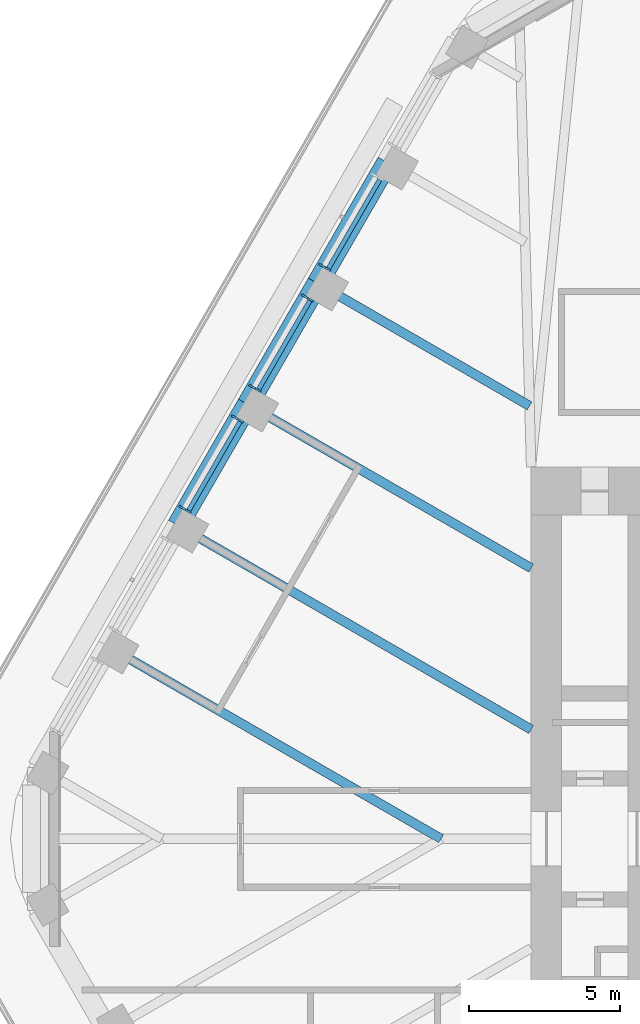
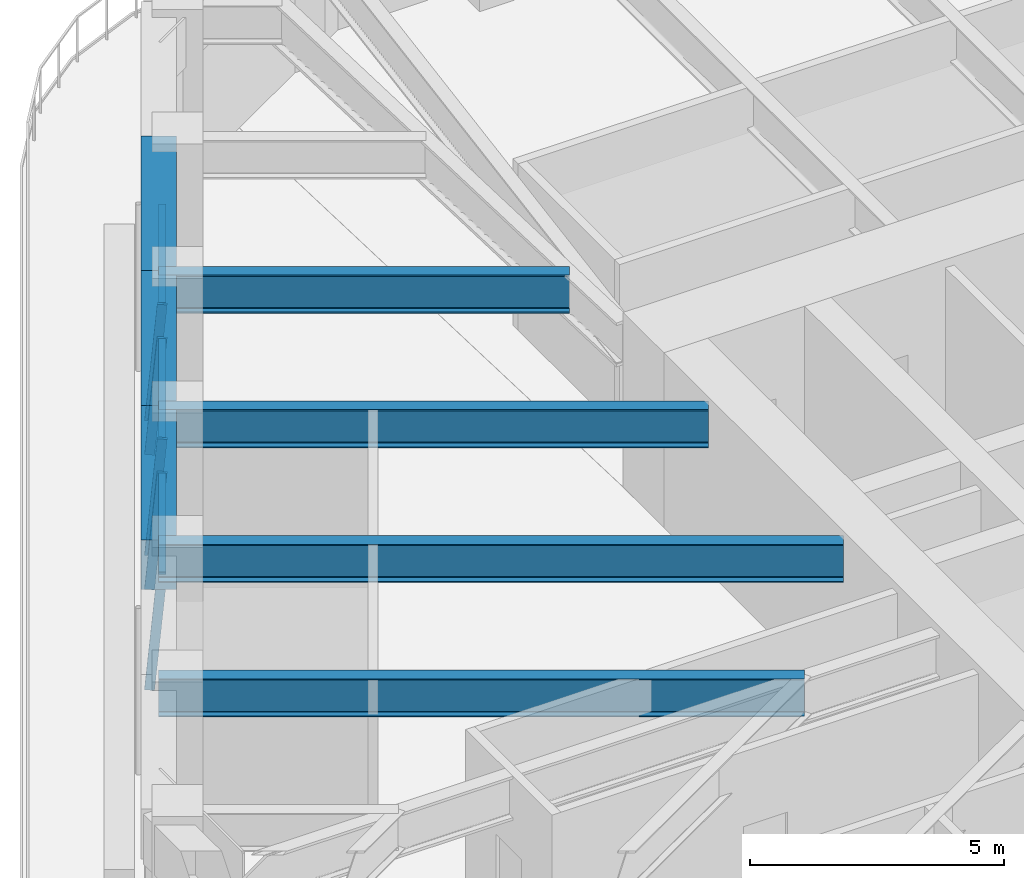
# One storey, part 7 of 20: 8 members, 7 beams, 3 elements without a shape of their own.
"""IFC4 building model written with IfcOpenShell, lengths in metres."""

from ifc_helpers import new_model, si_unit, direction, frame, origin, origin_2d, place, context, subcontext, project, spatial, rectangle, i_section, extrude, material, material_profile, profile_set, type_object, element, aggregate, save


model = new_model("IFC4")

# Units and contexts
model_context = context("Model", 3, precision=1e-05, world=origin(), true_north=direction((0.0, 1.0)))
body_context = subcontext(model_context, "Body", "Model", "MODEL_VIEW")
ifc_project = project(units=[si_unit("LENGTHUNIT", "METRE"), si_unit("AREAUNIT", "SQUARE_METRE"), si_unit("VOLUMEUNIT", "CUBIC_METRE"), si_unit("PLANEANGLEUNIT", "RADIAN"), si_unit("MASSUNIT", "GRAM", prefix="KILO")], contexts=[model_context])

# Site, building, storey
site_placement = place(None, origin())
site = spatial("IfcSite", under=ifc_project, at=site_placement, CompositionType="ELEMENT")
building_placement = place(site_placement, origin())
building = spatial("IfcBuilding", under=site, at=building_placement, Name="Tarfa Lantern Tower", CompositionType="ELEMENT")
storey_placement = place(building_placement, frame((0.0, 0.0, 286.89990234375)))
storey = spatial("IfcBuildingStorey", under=building, at=storey_placement, Name="L65", CompositionType="ELEMENT", Elevation=286.89990234375)

# Curtain wall, member
ifc_material_1 = material(Name="Aluminium framed curtain wall", Category="aluminium")
curtain_wall_type = type_object("IfcCurtainWallType", Name="CW3 CANTED GLAZING HIGH ZONE 2800", PredefinedType="USERDEFINED", material=ifc_material_1)
curtain_wall_1_placement = place(storey_placement, origin())
curtain_wall_1 = element("IfcCurtainWall", 1, at=curtain_wall_1_placement, inside=storey, type_object=curtain_wall_type, Name="CW3 NW L65", ObjectType="CURTAIN WALL", PredefinedType="USERDEFINED")
ifc_material_2 = material(Name="Aluminium mullion", Category="aluminium")
ifc_material_profile_1 = material_profile(ifc_material_2, rectangle(XDim=0.06494140625, YDim=0.199951171875, at=origin_2d()), Name="AL MULLION 65x200")
ifc_profile_set_1 = profile_set([ifc_material_profile_1], Name="Aluminium mullion")
member_type_1 = type_object("IfcMemberType", Name="CWM1 MULLION 65x200", PredefinedType="MULLION", material=ifc_profile_set_1)
member_1_placement = place(storey_placement, frame((-22.427490234375, 18.954345703125, 0.0), z_axis=(0.077032386753, -0.044465143199, 0.996036576854), x_axis=(0.499919672301, 0.866071776036, 0.0)))
member_1 = element("IfcMember", 2, at=member_1_placement, type_object=member_type_1, Name="CW3 mullion 2", PredefinedType="MULLION", context=body_context, shape_type="SweptSolid", body=[
    extrude(rectangle(XDim=0.06494140625, YDim=0.199951171875, at=origin_2d()), origin(), (0.0, 0.0, 1.0), 2.811279296875),
])

# Curtain wall, members
curtain_wall_2_placement = place(storey_placement, origin())
curtain_wall_2 = element("IfcCurtainWall", 3, at=curtain_wall_2_placement, inside=storey, type_object=curtain_wall_type, Name="CW3 NW L65", ObjectType="CURTAIN WALL", PredefinedType="USERDEFINED")
member_2_placement = place(storey_placement, frame((-23.010009765625, 17.945556640625, 0.0), z_axis=(0.077032386753, -0.044465143199, 0.996036576854), x_axis=(0.499919672301, 0.866071776036, 0.0)))
member_2 = element("IfcMember", 4, at=member_2_placement, type_object=member_type_1, Name="CW3 mullion 1", PredefinedType="MULLION", context=body_context, shape_type="SweptSolid", body=[
    extrude(rectangle(XDim=0.06494140625, YDim=0.199951171875, at=origin_2d()), origin(), (0.0, 0.0, 1.0), 2.811279296875),
])
member_3_placement = place(storey_placement, frame((-24.73681640625, 14.954345703125, 0.0), z_axis=(0.077032386753, -0.044465143199, 0.996036576854), x_axis=(0.499919672301, 0.866071776036, 0.0)))
member_3 = element("IfcMember", 5, at=member_3_placement, type_object=member_type_1, Name="CW3 mullion 2", PredefinedType="MULLION", context=body_context, shape_type="SweptSolid", body=[
    extrude(rectangle(XDim=0.06494140625, YDim=0.199951171875, at=origin_2d()), origin(), (0.0, 0.0, 1.0), 2.811279296875),
])

curtain_wall_3_placement = place(storey_placement, origin())
curtain_wall_3 = element("IfcCurtainWall", 6, at=curtain_wall_3_placement, inside=storey, type_object=curtain_wall_type, Name="CW3 NW L65", ObjectType="CURTAIN WALL", PredefinedType="USERDEFINED")
member_4_placement = place(storey_placement, frame((-25.3193359375, 13.945556640625, 0.0), z_axis=(0.077032386753, -0.044465143199, 0.996036576854), x_axis=(0.499919672301, 0.866071776036, 0.0)))
member_4 = element("IfcMember", 7, at=member_4_placement, type_object=member_type_1, Name="CW3 mullion 1", PredefinedType="MULLION", context=body_context, shape_type="SweptSolid", body=[
    extrude(rectangle(XDim=0.06494140625, YDim=0.199951171875, at=origin_2d()), origin(), (0.0, 0.0, 1.0), 2.811279296875),
])
member_5_placement = place(storey_placement, frame((-27.04638671875, 10.954345703125, 0.0), z_axis=(0.077032386753, -0.044465143199, 0.996036576854), x_axis=(0.499919672301, 0.866071776036, 0.0)))
member_5 = element("IfcMember", 8, at=member_5_placement, type_object=member_type_1, Name="CW3 mullion 2", PredefinedType="MULLION", context=body_context, shape_type="SweptSolid", body=[
    extrude(rectangle(XDim=0.06494140625, YDim=0.199951171875, at=origin_2d()), origin(), (0.0, 0.0, 1.0), 2.811279296875),
])

# Member
ifc_material_3 = material(Name="Aluminium transom", Category="aluminium")
ifc_material_profile_2 = material_profile(ifc_material_3, rectangle(XDim=0.14990234375, YDim=0.06494140625, at=origin_2d()), Name="AL TRANSOM 150x65")
ifc_profile_set_2 = profile_set([ifc_material_profile_2], Name="Aluminium transom")
member_type_2 = type_object("IfcMemberType", Name="CWT1 TRANSOM 150x65", PredefinedType="USERDEFINED", material=ifc_profile_set_2)
member_6_placement = place(storey_placement, frame((-20.5029296875, 21.7939453125, 2.767578125), z_axis=(-0.499982299553, -0.866035622901, 0.0), x_axis=(0.866035622901, -0.499982299553, 0.0)))
member_6 = element("IfcMember", 9, at=member_6_placement, type_object=member_type_2, Name="CW3 transom 1.2", ObjectType="TRANSOM", PredefinedType="USERDEFINED", context=body_context, shape_type="SweptSolid", body=[
    extrude(rectangle(XDim=0.14990234375, YDim=0.06494140625, at=origin_2d()), origin(), (0.0, 0.0, 1.0), 3.388671875),
])

aggregate(curtain_wall_1, [member_1, member_6])

member_7_placement = place(storey_placement, frame((-22.812255859375, 17.7939453125, 2.767578125), z_axis=(-0.499982299553, -0.866035622901, 0.0), x_axis=(0.866035622901, -0.499982299553, 0.0)))
member_7 = element("IfcMember", 10, at=member_7_placement, type_object=member_type_2, Name="CW3 transom 1.2", ObjectType="TRANSOM", PredefinedType="USERDEFINED", context=body_context, shape_type="SweptSolid", body=[
    extrude(rectangle(XDim=0.14990234375, YDim=0.06494140625, at=origin_2d()), origin(), (0.0, 0.0, 1.0), 3.388671875),
])

aggregate(curtain_wall_2, [member_2, member_3, member_7])

member_8_placement = place(storey_placement, frame((-25.12158203125, 13.7939453125, 2.767578125), z_axis=(-0.500036330578, -0.866004427299, 0.0), x_axis=(0.866004427299, -0.500036330578, 0.0)))
member_8 = element("IfcMember", 11, at=member_8_placement, type_object=member_type_2, Name="CW3 transom 1.2", ObjectType="TRANSOM", PredefinedType="USERDEFINED", context=body_context, shape_type="SweptSolid", body=[
    extrude(rectangle(XDim=0.14990234375, YDim=0.06494140625, at=origin_2d()), origin(), (0.0, 0.0, 1.0), 3.388916015625),
])

aggregate(curtain_wall_3, [member_4, member_5, member_8])

# Beams
ifc_material_4 = material(Name="Concrete C80/95", Category="concrete")
ifc_material_profile_3 = material_profile(ifc_material_4, rectangle(XDim=0.699951171875, YDim=1.199951171875, at=origin_2d()), Name="RC 700x1200")
ifc_profile_set_3 = profile_set([ifc_material_profile_3], Name="Concrete C80/95")
beam_type_1 = type_object("IfcBeamType", Name="EB3 RC 700x1200", PredefinedType="SPANDREL", material=ifc_profile_set_3)
beam_1_placement = place(storey_placement, frame((-20.25341796875, 22.360107421875, 3.400146484375), z_axis=(-0.499987836815, -0.866032426089, 0.0), x_axis=(0.866032426089, -0.499987836815, 0.0)))
element("IfcBeam", 12, at=beam_1_placement, inside=storey, type_object=beam_type_1, Name="Edge beam NW1", PredefinedType="SPANDREL", context=body_context, shape_type="SweptSolid", body=[
    extrude(rectangle(XDim=0.699951171875, YDim=1.199951171875, at=origin_2d()), origin(), (0.0, 0.0, 1.0), 4.61865234375),
])
beam_2_placement = place(storey_placement, frame((-22.562744140625, 18.360107421875, 3.400146484375), z_axis=(-0.500027479704, -0.866009537788, 0.0), x_axis=(0.866009537788, -0.500027479704, 0.0)))
element("IfcBeam", 13, at=beam_2_placement, inside=storey, type_object=beam_type_1, Name="Edge beam NW2", PredefinedType="SPANDREL", context=body_context, shape_type="SweptSolid", body=[
    extrude(rectangle(XDim=0.699951171875, YDim=1.199951171875, at=origin_2d()), origin(), (0.0, 0.0, 1.0), 4.618896484375),
])
beam_3_placement = place(storey_placement, frame((-24.872314453125, 14.360107421875, 3.400146484375), z_axis=(-0.499987836815, -0.866032426089, 0.0), x_axis=(0.866032426089, -0.499987836815, 0.0)))
element("IfcBeam", 14, at=beam_3_placement, inside=storey, type_object=beam_type_1, Name="Edge beam NW3", PredefinedType="SPANDREL", context=body_context, shape_type="SweptSolid", body=[
    extrude(rectangle(XDim=0.699951171875, YDim=1.199951171875, at=origin_2d()), origin(), (0.0, 0.0, 1.0), 4.61865234375),
])
ifc_material_5 = material(Name="Steel S460M", Category="steel")
ifc_material_profile_4 = material_profile(ifc_material_5, i_section(OverallWidth=0.305419921875, OverallDepth=0.91845703125, WebThickness=0.017333984375, FlangeThickness=0.02783203125, FilletRadius=0.01904296875, at=origin_2d()), Name="UB914x305x253")
ifc_profile_set_4 = profile_set([ifc_material_profile_4], Name="Steel S460M")
beam_type_2 = type_object("IfcBeamType", Name="UB914x305x253", PredefinedType="BEAM", material=ifc_profile_set_4)
beam_4_placement = place(storey_placement, frame((-22.562744140625, 18.360107421875, 3.541015625), z_axis=(0.866010787764, -0.500025314835, 0.0), x_axis=(0.500025314835, 0.866010787764, 0.0)))
element("IfcBeam", 15, at=beam_4_placement, inside=storey, type_object=beam_type_2, Name="Floor beam NW2", PredefinedType="BEAM", context=body_context, shape_type="SweptSolid", body=[
    extrude(i_section(OverallWidth=0.305419921875, OverallDepth=0.91845703125, WebThickness=0.017333984375, FlangeThickness=0.02783203125, FilletRadius=0.01904296875, at=origin_2d()), origin(), (0.0, 0.0, 1.0), 8.09423828125),
])
beam_5_placement = place(storey_placement, frame((-24.872314453125, 14.360107421875, 3.541015625), z_axis=(0.8660244219, -0.500001700669, 0.0), x_axis=(0.500001700669, 0.8660244219, 0.0)))
element("IfcBeam", 16, at=beam_5_placement, inside=storey, type_object=beam_type_2, Name="Floor beam NW3", PredefinedType="BEAM", context=body_context, shape_type="SweptSolid", body=[
    extrude(i_section(OverallWidth=0.305419921875, OverallDepth=0.91845703125, WebThickness=0.017333984375, FlangeThickness=0.02783203125, FilletRadius=0.01904296875, at=origin_2d()), origin(), (0.0, 0.0, 1.0), 10.822265625),
])
beam_6_placement = place(storey_placement, frame((-27.181640625, 10.360107421875, 3.541015625), z_axis=(0.866018002818, -0.500012818631, 0.0), x_axis=(0.500012818631, 0.866018002818, 0.0)))
element("IfcBeam", 17, at=beam_6_placement, inside=storey, type_object=beam_type_2, Name="Floor beam NW4", PredefinedType="BEAM", context=body_context, shape_type="SweptSolid", body=[
    extrude(i_section(OverallWidth=0.305419921875, OverallDepth=0.91845703125, WebThickness=0.017333984375, FlangeThickness=0.02783203125, FilletRadius=0.01904296875, at=origin_2d()), origin(), (0.0, 0.0, 1.0), 13.489013671875),
])
beam_7_placement = place(storey_placement, frame((-29.490966796875, 6.360107421875, 3.541015625), z_axis=(0.866022258038, -0.500005448553, 0.0), x_axis=(0.500005448553, 0.866022258038, 0.0)))
element("IfcBeam", 18, at=beam_7_placement, inside=storey, type_object=beam_type_2, Name="Floor beam NW5", PredefinedType="BEAM", context=body_context, shape_type="SweptSolid", body=[
    extrude(i_section(OverallWidth=0.305419921875, OverallDepth=0.91845703125, WebThickness=0.017333984375, FlangeThickness=0.02783203125, FilletRadius=0.01904296875, at=origin_2d()), origin(), (0.0, 0.0, 1.0), 12.719970703125),
])

save(model, "model.ifc")
